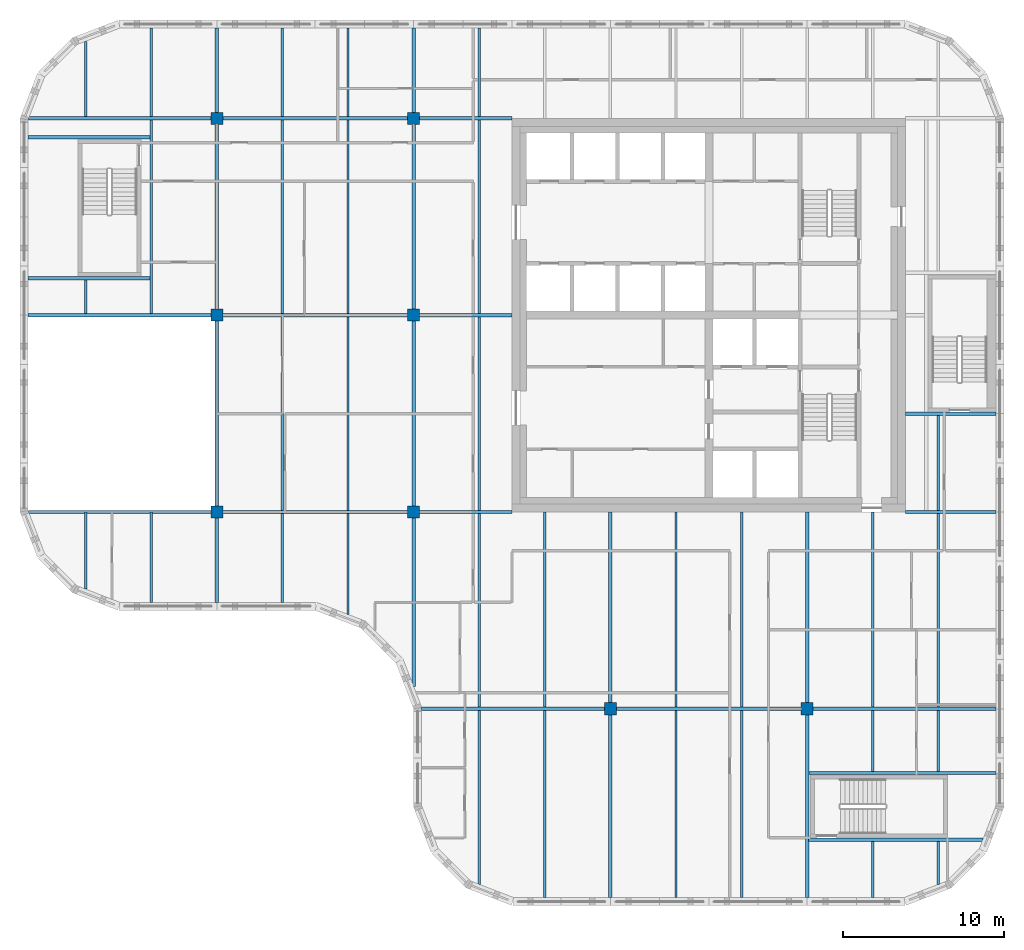
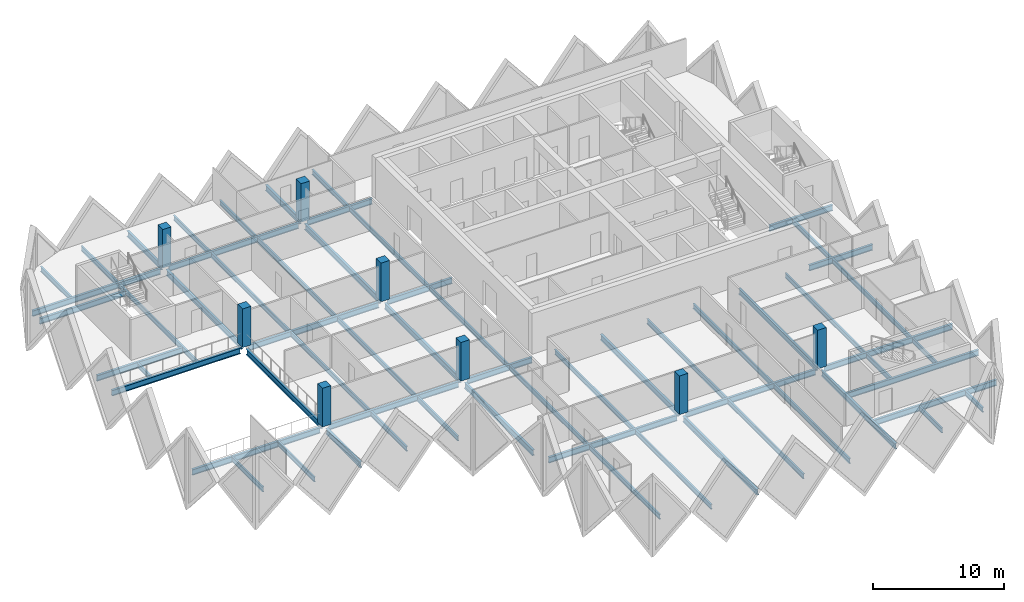
# One storey, part 1 of 12: 62 beams, 8 columns.
"""IFC4 building model written with IfcOpenShell, lengths in metres."""

from ifc_helpers import new_model, si_unit, direction, frame, origin, origin_2d, place, context, subcontext, project, spatial, rectangle, i_section, extrude, material, material_profile, profile_set, type_object, element, save


model = new_model("IFC4")

# Units and contexts
model_context = context("Model", 3, precision=1e-05, world=origin(), true_north=direction((0.0, 1.0)))
body_context = subcontext(model_context, "Body", "Model", "MODEL_VIEW")
ifc_project = project(units=[si_unit("LENGTHUNIT", "METRE"), si_unit("AREAUNIT", "SQUARE_METRE"), si_unit("VOLUMEUNIT", "CUBIC_METRE"), si_unit("PLANEANGLEUNIT", "RADIAN"), si_unit("MASSUNIT", "GRAM", prefix="KILO")], contexts=[model_context])

# Site, building, storey
site_placement = place(None, origin())
site = spatial("IfcSite", under=ifc_project, at=site_placement, CompositionType="ELEMENT")
building_placement = place(site_placement, origin())
building = spatial("IfcBuilding", under=site, at=building_placement, Name="Tessera Gate Towers", CompositionType="ELEMENT")
storey_placement = place(building_placement, frame((0.0, 0.0, 209.300048828125)))
storey = spatial("IfcBuildingStorey", under=building, at=storey_placement, Name="L52", CompositionType="ELEMENT", Elevation=209.300048828125)

# Columns
ifc_material_1 = material(Name="Concrete C70/85", Category="concrete")
ifc_material_profile_1 = material_profile(ifc_material_1, rectangle(XDim=0.75, YDim=0.75, at=origin_2d()), Name="RC 750x750")
ifc_profile_set_1 = profile_set([ifc_material_profile_1], Name="Concrete C70/85")
column_type = type_object("IfcColumnType", Name="COLUMN RC 750x750", PredefinedType="COLUMN", material=ifc_profile_set_1)
for number, where, z_axis, x_axis, name in (
    (1, (12.199951171875, 24.39990234375, 0.0), (0.0, 0.0, 1.0), (1.0, 0.0, 0.0), "T1-COL-2C-L52"),
    (2, (12.199951171875, 36.60009765625, 0.0), (0.0, 0.0, 1.0), (1.0, 0.0, 0.0), "T1-COL-2D-L52"),
    (3, (12.199951171875, 48.800048828125, 0.0), (0.0, 0.0, 1.0), (1.0, 0.0, 0.0), "T1-COL-2E-L52"),
    (4, (24.39990234375, 24.39990234375, 0.0), (0.0, 0.0, 1.0), (1.0, 0.0, 0.0), "T1-COL-3C-L52"),
    (5, (24.39990234375, 36.60009765625, 0.0), (0.0, 0.0, 1.0), (1.0, 0.0, 0.0), "T1-COL-3D-L52"),
    (6, (24.39990234375, 48.800048828125, 0.0), (0.0, 0.0, 1.0), (1.0, 0.0, 0.0), "T1-COL-3E-L52"),
    (7, (36.60009765625, 12.199951171875, 0.0), (0.0, 0.0, 1.0), (1.0, 0.0, 0.0), "T1-COL-4B-L52"),
    (8, (48.800048828125, 12.199951171875, 0.0), (0.0, 0.0, 1.0), (1.0, 0.0, 0.0), "T1-COL-5B-L52"),
):
    element("IfcColumn", number, at=place(storey_placement, frame(where, z_axis=z_axis, x_axis=x_axis)), inside=storey, type_object=column_type, Name=name, PredefinedType="COLUMN", context=body_context, shape_type="SweptSolid", body=[
        extrude(rectangle(XDim=0.75, YDim=0.75, at=origin_2d()), origin(), (0.0, 0.0, 1.0), 3.599853515625),
    ])

# Beams
ifc_material_2 = material(Name="Steel 350W", Category="steel")
ifc_material_profile_2 = material_profile(ifc_material_2, i_section(OverallWidth=0.208984375, OverallDepth=0.532958984375, WebThickness=0.01025390625, FlangeThickness=0.015625, at=origin_2d()), Name="W530x92")
ifc_profile_set_2 = profile_set([ifc_material_profile_2], Name="Steel 350W")
beam_type_1 = type_object("IfcBeamType", Name="FLOOR GIRDER W530x92", PredefinedType="BEAM", material=ifc_profile_set_2)
beam_1_placement = place(storey_placement, frame((24.89892578125, 12.199951171875, -0.466552734375), z_axis=(1.0, 0.0, 0.0), x_axis=(0.0, 1.0, 0.0)))
element("IfcBeam", 9, at=beam_1_placement, inside=storey, type_object=beam_type_1, Name="T1-GD-L52-5404", PredefinedType="BEAM", context=body_context, shape_type="SweptSolid", body=[
    extrude(i_section(OverallWidth=0.208984375, OverallDepth=0.532958984375, WebThickness=0.01025390625, FlangeThickness=0.015625, at=origin_2d()), origin(), (0.0, 0.0, 1.0), 11.326171875),
])
beam_2_placement = place(storey_placement, frame((36.97509765625, 12.199951171875, -0.466552734375), z_axis=(1.0, 0.0, 0.0), x_axis=(0.0, 1.0, 0.0)))
element("IfcBeam", 10, at=beam_2_placement, inside=storey, type_object=beam_type_1, Name="T1-GD-L52-5405", PredefinedType="BEAM", context=body_context, shape_type="SweptSolid", body=[
    extrude(i_section(OverallWidth=0.208984375, OverallDepth=0.532958984375, WebThickness=0.01025390625, FlangeThickness=0.015625, at=origin_2d()), origin(), (0.0, 0.0, 1.0), 11.449951171875),
])
beam_3_placement = place(storey_placement, frame((49.175048828125, 12.199951171875, -0.466552734375), z_axis=(1.0, 0.0, 0.0), x_axis=(0.0, 1.0, 0.0)))
element("IfcBeam", 11, at=beam_3_placement, inside=storey, type_object=beam_type_1, Name="T1-GD-L52-5406", PredefinedType="BEAM", context=body_context, shape_type="SweptSolid", body=[
    extrude(i_section(OverallWidth=0.208984375, OverallDepth=0.532958984375, WebThickness=0.01025390625, FlangeThickness=0.015625, at=origin_2d()), origin(), (0.0, 0.0, 1.0), 11.325927734375),
])
beam_4_placement = place(storey_placement, frame((0.534912109375, 24.39990234375, -0.466552734375), z_axis=(1.0, 0.0, 0.0), x_axis=(0.0, 1.0, 0.0)))
element("IfcBeam", 12, at=beam_4_placement, inside=storey, type_object=beam_type_1, Name="T1-GD-L52-5407", PredefinedType="BEAM", context=body_context, shape_type="SweptSolid", body=[
    extrude(i_section(OverallWidth=0.208984375, OverallDepth=0.532958984375, WebThickness=0.01025390625, FlangeThickness=0.015625, at=origin_2d()), origin(), (0.0, 0.0, 1.0), 11.2900390625),
])
beam_5_placement = place(storey_placement, frame((12.574951171875, 24.39990234375, -0.466552734375), z_axis=(1.0, 0.0, 0.0), x_axis=(0.0, 1.0, 0.0)))
element("IfcBeam", 13, at=beam_5_placement, inside=storey, type_object=beam_type_1, Name="T1-GD-L52-5408", PredefinedType="BEAM", context=body_context, shape_type="SweptSolid", body=[
    extrude(i_section(OverallWidth=0.208984375, OverallDepth=0.532958984375, WebThickness=0.01025390625, FlangeThickness=0.015625, at=origin_2d()), origin(), (0.0, 0.0, 1.0), 11.449951171875),
])
beam_6_placement = place(storey_placement, frame((24.77490234375, 24.39990234375, -0.466552734375), z_axis=(1.0, 0.0, 0.0), x_axis=(0.0, 1.0, 0.0)))
element("IfcBeam", 14, at=beam_6_placement, inside=storey, type_object=beam_type_1, Name="T1-GD-L52-5409", PredefinedType="BEAM", context=body_context, shape_type="SweptSolid", body=[
    extrude(i_section(OverallWidth=0.208984375, OverallDepth=0.532958984375, WebThickness=0.01025390625, FlangeThickness=0.015625, at=origin_2d()), origin(), (0.0, 0.0, 1.0), 5.72412109375),
])
beam_7_placement = place(storey_placement, frame((54.90087890625, 24.39990234375, -0.466552734375), z_axis=(1.0, 0.0, 0.0), x_axis=(0.0, 1.0, 0.0)))
element("IfcBeam", 15, at=beam_7_placement, inside=storey, type_object=beam_type_1, Name="T1-GD-L52-5410", PredefinedType="BEAM", context=body_context, shape_type="SweptSolid", body=[
    extrude(i_section(OverallWidth=0.208984375, OverallDepth=0.532958984375, WebThickness=0.01025390625, FlangeThickness=0.015625, at=origin_2d()), origin(), (0.0, 0.0, 1.0), 5.60009765625),
])
beam_8_placement = place(storey_placement, frame((0.4990234375, 36.60009765625, -0.466552734375), z_axis=(1.0, 0.0, 0.0), x_axis=(0.0, 1.0, 0.0)))
element("IfcBeam", 16, at=beam_8_placement, inside=storey, type_object=beam_type_1, Name="T1-GD-L52-5411", PredefinedType="BEAM", context=body_context, shape_type="SweptSolid", body=[
    extrude(i_section(OverallWidth=0.208984375, OverallDepth=0.532958984375, WebThickness=0.01025390625, FlangeThickness=0.015625, at=origin_2d()), origin(), (0.0, 0.0, 1.0), 11.325927734375),
])
beam_9_placement = place(storey_placement, frame((12.574951171875, 36.60009765625, -0.466552734375), z_axis=(1.0, 0.0, 0.0), x_axis=(0.0, 1.0, 0.0)))
element("IfcBeam", 17, at=beam_9_placement, inside=storey, type_object=beam_type_1, Name="T1-GD-L52-5412", PredefinedType="BEAM", context=body_context, shape_type="SweptSolid", body=[
    extrude(i_section(OverallWidth=0.208984375, OverallDepth=0.532958984375, WebThickness=0.01025390625, FlangeThickness=0.015625, at=origin_2d()), origin(), (0.0, 0.0, 1.0), 11.449951171875),
])
beam_10_placement = place(storey_placement, frame((24.77490234375, 36.60009765625, -0.466552734375), z_axis=(1.0, 0.0, 0.0), x_axis=(0.0, 1.0, 0.0)))
element("IfcBeam", 18, at=beam_10_placement, inside=storey, type_object=beam_type_1, Name="T1-GD-L52-5413", PredefinedType="BEAM", context=body_context, shape_type="SweptSolid", body=[
    extrude(i_section(OverallWidth=0.208984375, OverallDepth=0.532958984375, WebThickness=0.01025390625, FlangeThickness=0.015625, at=origin_2d()), origin(), (0.0, 0.0, 1.0), 5.72607421875),
])
beam_11_placement = place(storey_placement, frame((0.534912109375, 48.800048828125, -0.466552734375), z_axis=(1.0, 0.0, 0.0), x_axis=(0.0, 1.0, 0.0)))
element("IfcBeam", 19, at=beam_11_placement, inside=storey, type_object=beam_type_1, Name="T1-GD-L52-5415", PredefinedType="BEAM", context=body_context, shape_type="SweptSolid", body=[
    extrude(i_section(OverallWidth=0.208984375, OverallDepth=0.532958984375, WebThickness=0.01025390625, FlangeThickness=0.015625, at=origin_2d()), origin(), (0.0, 0.0, 1.0), 11.2900390625),
])
beam_12_placement = place(storey_placement, frame((12.574951171875, 48.800048828125, -0.466552734375), z_axis=(1.0, 0.0, 0.0), x_axis=(0.0, 1.0, 0.0)))
element("IfcBeam", 20, at=beam_12_placement, inside=storey, type_object=beam_type_1, Name="T1-GD-L52-5416", PredefinedType="BEAM", context=body_context, shape_type="SweptSolid", body=[
    extrude(i_section(OverallWidth=0.208984375, OverallDepth=0.532958984375, WebThickness=0.01025390625, FlangeThickness=0.015625, at=origin_2d()), origin(), (0.0, 0.0, 1.0), 11.449951171875),
])
beam_13_placement = place(storey_placement, frame((24.77490234375, 48.800048828125, -0.466552734375), z_axis=(1.0, 0.0, 0.0), x_axis=(0.0, 1.0, 0.0)))
element("IfcBeam", 21, at=beam_13_placement, inside=storey, type_object=beam_type_1, Name="T1-GD-L52-5417", PredefinedType="BEAM", context=body_context, shape_type="SweptSolid", body=[
    extrude(i_section(OverallWidth=0.208984375, OverallDepth=0.532958984375, WebThickness=0.01025390625, FlangeThickness=0.015625, at=origin_2d()), origin(), (0.0, 0.0, 1.0), 5.72412109375),
])
beam_14_placement = place(storey_placement, frame((12.199951171875, 18.799072265625, -0.466552734375), z_axis=(0.0, 1.0, 0.0), x_axis=(-1.0, 0.0, 0.0)))
element("IfcBeam", 22, at=beam_14_placement, inside=storey, type_object=beam_type_1, Name="T1-GD-L52-5419", PredefinedType="BEAM", context=body_context, shape_type="SweptSolid", body=[
    extrude(i_section(OverallWidth=0.208984375, OverallDepth=0.532958984375, WebThickness=0.01025390625, FlangeThickness=0.015625, at=origin_2d()), origin(), (0.0, 0.0, 1.0), 5.225830078125),
])
beam_15_placement = place(storey_placement, frame((12.199951171875, 24.77490234375, -0.466552734375), z_axis=(0.0, 1.0, 0.0), x_axis=(-1.0, 0.0, 0.0)))
element("IfcBeam", 23, at=beam_15_placement, inside=storey, type_object=beam_type_1, Name="T1-GD-L52-5420", PredefinedType="BEAM", context=body_context, shape_type="SweptSolid", body=[
    extrude(i_section(OverallWidth=0.208984375, OverallDepth=0.532958984375, WebThickness=0.01025390625, FlangeThickness=0.015625, at=origin_2d()), origin(), (0.0, 0.0, 1.0), 11.4501953125),
])
beam_16_placement = place(storey_placement, frame((12.199951171875, 36.97509765625, -0.466552734375), z_axis=(0.0, 1.0, 0.0), x_axis=(-1.0, 0.0, 0.0)))
element("IfcBeam", 24, at=beam_16_placement, inside=storey, type_object=beam_type_1, Name="T1-GD-L52-5421", PredefinedType="BEAM", context=body_context, shape_type="SweptSolid", body=[
    extrude(i_section(OverallWidth=0.208984375, OverallDepth=0.532958984375, WebThickness=0.01025390625, FlangeThickness=0.015625, at=origin_2d()), origin(), (0.0, 0.0, 1.0), 11.449951171875),
])
beam_17_placement = place(storey_placement, frame((12.199951171875, 49.175048828125, -0.466552734375), z_axis=(0.0, 1.0, 0.0), x_axis=(-1.0, 0.0, 0.0)))
element("IfcBeam", 25, at=beam_17_placement, inside=storey, type_object=beam_type_1, Name="T1-GD-L52-5422", PredefinedType="BEAM", context=body_context, shape_type="SweptSolid", body=[
    extrude(i_section(OverallWidth=0.208984375, OverallDepth=0.532958984375, WebThickness=0.01025390625, FlangeThickness=0.015625, at=origin_2d()), origin(), (0.0, 0.0, 1.0), 5.225830078125),
])
beam_18_placement = place(storey_placement, frame((24.39990234375, 13.58642578125, -0.466552734375), z_axis=(0.0, 1.0, 0.0), x_axis=(-1.0, 0.0, 0.0)))
element("IfcBeam", 26, at=beam_18_placement, inside=storey, type_object=beam_type_1, Name="T1-GD-L52-5423", PredefinedType="BEAM", context=body_context, shape_type="SweptSolid", body=[
    extrude(i_section(OverallWidth=0.208984375, OverallDepth=0.532958984375, WebThickness=0.01025390625, FlangeThickness=0.015625, at=origin_2d()), origin(), (0.0, 0.0, 1.0), 10.4384765625),
])
beam_19_placement = place(storey_placement, frame((24.39990234375, 24.77490234375, -0.466552734375), z_axis=(0.0, 1.0, 0.0), x_axis=(-1.0, 0.0, 0.0)))
element("IfcBeam", 27, at=beam_19_placement, inside=storey, type_object=beam_type_1, Name="T1-GD-L52-5424", PredefinedType="BEAM", context=body_context, shape_type="SweptSolid", body=[
    extrude(i_section(OverallWidth=0.208984375, OverallDepth=0.532958984375, WebThickness=0.01025390625, FlangeThickness=0.015625, at=origin_2d()), origin(), (0.0, 0.0, 1.0), 11.4501953125),
])
beam_20_placement = place(storey_placement, frame((24.39990234375, 36.97509765625, -0.466552734375), z_axis=(0.0, 1.0, 0.0), x_axis=(-1.0, 0.0, 0.0)))
element("IfcBeam", 28, at=beam_20_placement, inside=storey, type_object=beam_type_1, Name="T1-GD-L52-5425", PredefinedType="BEAM", context=body_context, shape_type="SweptSolid", body=[
    extrude(i_section(OverallWidth=0.208984375, OverallDepth=0.532958984375, WebThickness=0.01025390625, FlangeThickness=0.015625, at=origin_2d()), origin(), (0.0, 0.0, 1.0), 11.449951171875),
])
beam_21_placement = place(storey_placement, frame((24.39990234375, 49.175048828125, -0.466552734375), z_axis=(0.0, 1.0, 0.0), x_axis=(-1.0, 0.0, 0.0)))
element("IfcBeam", 29, at=beam_21_placement, inside=storey, type_object=beam_type_1, Name="T1-GD-L52-5426", PredefinedType="BEAM", context=body_context, shape_type="SweptSolid", body=[
    extrude(i_section(OverallWidth=0.208984375, OverallDepth=0.532958984375, WebThickness=0.01025390625, FlangeThickness=0.015625, at=origin_2d()), origin(), (0.0, 0.0, 1.0), 5.225830078125),
])
beam_22_placement = place(storey_placement, frame((36.60009765625, 0.4990234375, -0.466552734375), z_axis=(0.0, 1.0, 0.0), x_axis=(-1.0, 0.0, 0.0)))
element("IfcBeam", 30, at=beam_22_placement, inside=storey, type_object=beam_type_1, Name="T1-GD-L52-5427", PredefinedType="BEAM", context=body_context, shape_type="SweptSolid", body=[
    extrude(i_section(OverallWidth=0.208984375, OverallDepth=0.532958984375, WebThickness=0.01025390625, FlangeThickness=0.015625, at=origin_2d()), origin(), (0.0, 0.0, 1.0), 11.325927734375),
])
beam_23_placement = place(storey_placement, frame((36.60009765625, 12.574951171875, -0.466552734375), z_axis=(0.0, 1.0, 0.0), x_axis=(-1.0, 0.0, 0.0)))
element("IfcBeam", 31, at=beam_23_placement, inside=storey, type_object=beam_type_1, Name="T1-GD-L52-5428", PredefinedType="BEAM", context=body_context, shape_type="SweptSolid", body=[
    extrude(i_section(OverallWidth=0.208984375, OverallDepth=0.532958984375, WebThickness=0.01025390625, FlangeThickness=0.015625, at=origin_2d()), origin(), (0.0, 0.0, 1.0), 11.824951171875),
])
beam_24_placement = place(storey_placement, frame((48.800048828125, 0.4990234375, -0.466552734375), z_axis=(0.0, 1.0, 0.0), x_axis=(-1.0, 0.0, 0.0)))
element("IfcBeam", 32, at=beam_24_placement, inside=storey, type_object=beam_type_1, Name="T1-GD-L52-5429", PredefinedType="BEAM", context=body_context, shape_type="SweptSolid", body=[
    extrude(i_section(OverallWidth=0.208984375, OverallDepth=0.532958984375, WebThickness=0.01025390625, FlangeThickness=0.015625, at=origin_2d()), origin(), (0.0, 0.0, 1.0), 11.325927734375),
])
beam_25_placement = place(storey_placement, frame((48.800048828125, 12.574951171875, -0.466552734375), z_axis=(0.0, 1.0, 0.0), x_axis=(-1.0, 0.0, 0.0)))
element("IfcBeam", 33, at=beam_25_placement, inside=storey, type_object=beam_type_1, Name="T1-GD-L52-5430", PredefinedType="BEAM", context=body_context, shape_type="SweptSolid", body=[
    extrude(i_section(OverallWidth=0.208984375, OverallDepth=0.532958984375, WebThickness=0.01025390625, FlangeThickness=0.015625, at=origin_2d()), origin(), (0.0, 0.0, 1.0), 11.824951171875),
])
for number, where, z_axis, x_axis, name in (
    (34, (0.4990234375, 38.8798828125, -0.466552734375), (1.0, 0.0, 0.0), (0.0, 1.0, 0.0), "T1-GD-L52-5431"),
    (35, (0.4990234375, 47.6201171875, -0.466552734375), (1.0, 0.0, 0.0), (0.0, 1.0, 0.0), "T1-GD-L52-5432"),
):
    element("IfcBeam", number, at=place(storey_placement, frame(where, z_axis=z_axis, x_axis=x_axis)), inside=storey, type_object=beam_type_1, Name=name, PredefinedType="BEAM", context=body_context, shape_type="SweptSolid", body=[
        extrude(i_section(OverallWidth=0.208984375, OverallDepth=0.532958984375, WebThickness=0.01025390625, FlangeThickness=0.015625, at=origin_2d()), origin(), (0.0, 0.0, 1.0), 7.557861328125),
    ])
beam_26_placement = place(storey_placement, frame((48.87646484375, 4.080078125, -0.466552734375), z_axis=(1.0, 0.0, 0.0), x_axis=(0.0, 1.0, 0.0)))
element("IfcBeam", 36, at=beam_26_placement, inside=storey, type_object=beam_type_1, Name="T1-GD-L52-5433", PredefinedType="BEAM", context=body_context, shape_type="SweptSolid", body=[
    extrude(i_section(OverallWidth=0.208984375, OverallDepth=0.532958984375, WebThickness=0.01025390625, FlangeThickness=0.015625, at=origin_2d()), origin(), (0.0, 0.0, 1.0), 10.809326171875),
])
beam_27_placement = place(storey_placement, frame((48.87646484375, 8.219970703125, -0.466552734375), z_axis=(1.0, 0.0, 0.0), x_axis=(0.0, 1.0, 0.0)))
element("IfcBeam", 37, at=beam_27_placement, inside=storey, type_object=beam_type_1, Name="T1-GD-L52-5434", PredefinedType="BEAM", context=body_context, shape_type="SweptSolid", body=[
    extrude(i_section(OverallWidth=0.208984375, OverallDepth=0.532958984375, WebThickness=0.01025390625, FlangeThickness=0.015625, at=origin_2d()), origin(), (0.0, 0.0, 1.0), 11.62451171875),
])
beam_28_placement = place(storey_placement, frame((54.89892578125, 30.47998046875, -0.466552734375), z_axis=(1.0, 0.0, 0.0), x_axis=(0.0, 1.0, 0.0)))
element("IfcBeam", 38, at=beam_28_placement, inside=storey, type_object=beam_type_1, Name="T1-GD-L52-5435", PredefinedType="BEAM", context=body_context, shape_type="SweptSolid", body=[
    extrude(i_section(OverallWidth=0.208984375, OverallDepth=0.532958984375, WebThickness=0.01025390625, FlangeThickness=0.015625, at=origin_2d()), origin(), (0.0, 0.0, 1.0), 5.60205078125),
])
ifc_material_3 = material(Name="Steel 350W", Category="steel")
ifc_material_profile_3 = material_profile(ifc_material_3, i_section(OverallWidth=0.153076171875, OverallDepth=0.455078125, WebThickness=0.008056640625, FlangeThickness=0.01318359375, at=origin_2d()), Name="W460x60")
ifc_profile_set_3 = profile_set([ifc_material_profile_3], Name="Steel 350W")
beam_type_2 = type_object("IfcBeamType", Name="FLOOR SECONDARY W460x60", PredefinedType="BEAM", material=ifc_profile_set_3)
beam_29_placement = place(storey_placement, frame((4.066650390625, 19.620361328125, -0.427490234375), z_axis=(0.0, 1.0, 0.0), x_axis=(-1.0, 0.0, 0.0)))
element("IfcBeam", 39, at=beam_29_placement, inside=storey, type_object=beam_type_2, Name="T1-BM-L52-5438", PredefinedType="BEAM", context=body_context, shape_type="SweptSolid", body=[
    extrude(i_section(OverallWidth=0.153076171875, OverallDepth=0.455078125, WebThickness=0.008056640625, FlangeThickness=0.01318359375, at=origin_2d()), origin(), (0.0, 0.0, 1.0), 4.779541015625),
])
beam_30_placement = place(storey_placement, frame((4.066650390625, 36.70458984375, -0.427490234375), z_axis=(0.0, 1.0, 0.0), x_axis=(-1.0, 0.0, 0.0)))
element("IfcBeam", 40, at=beam_30_placement, inside=storey, type_object=beam_type_2, Name="T1-BM-L52-5439", PredefinedType="BEAM", context=body_context, shape_type="SweptSolid", body=[
    extrude(i_section(OverallWidth=0.153076171875, OverallDepth=0.455078125, WebThickness=0.008056640625, FlangeThickness=0.01318359375, at=origin_2d()), origin(), (0.0, 0.0, 1.0), 2.07080078125),
])
beam_31_placement = place(storey_placement, frame((4.066650390625, 48.904541015625, -0.427490234375), z_axis=(0.0, 1.0, 0.0), x_axis=(-1.0, 0.0, 0.0)))
element("IfcBeam", 41, at=beam_31_placement, inside=storey, type_object=beam_type_2, Name="T1-BM-L52-5440", PredefinedType="BEAM", context=body_context, shape_type="SweptSolid", body=[
    extrude(i_section(OverallWidth=0.153076171875, OverallDepth=0.455078125, WebThickness=0.008056640625, FlangeThickness=0.01318359375, at=origin_2d()), origin(), (0.0, 0.0, 1.0), 4.675048828125),
])
beam_32_placement = place(storey_placement, frame((8.13330078125, 18.800048828125, -0.427490234375), z_axis=(0.0, 1.0, 0.0), x_axis=(-1.0, 0.0, 0.0)))
element("IfcBeam", 42, at=beam_32_placement, inside=storey, type_object=beam_type_2, Name="T1-BM-L52-5441", PredefinedType="BEAM", context=body_context, shape_type="SweptSolid", body=[
    extrude(i_section(OverallWidth=0.153076171875, OverallDepth=0.455078125, WebThickness=0.008056640625, FlangeThickness=0.01318359375, at=origin_2d()), origin(), (0.0, 0.0, 1.0), 5.599853515625),
])
beam_33_placement = place(storey_placement, frame((8.13330078125, 36.70458984375, -0.427490234375), z_axis=(0.0, 1.0, 0.0), x_axis=(-1.0, 0.0, 0.0)))
element("IfcBeam", 43, at=beam_33_placement, inside=storey, type_object=beam_type_2, Name="T1-BM-L52-5442", PredefinedType="BEAM", context=body_context, shape_type="SweptSolid", body=[
    extrude(i_section(OverallWidth=0.153076171875, OverallDepth=0.455078125, WebThickness=0.008056640625, FlangeThickness=0.01318359375, at=origin_2d()), origin(), (0.0, 0.0, 1.0), 11.990966796875),
])
for number, where, z_axis, x_axis, name in (
    (44, (8.13330078125, 48.904541015625, -0.427490234375), (0.0, 1.0, 0.0), (-1.0, 0.0, 0.0), "T1-BM-L52-5443"),
    (45, (16.2666015625, 18.800048828125, -0.427490234375), (0.0, 1.0, 0.0), (-1.0, 0.0, 0.0), "T1-BM-L52-5444"),
):
    element("IfcBeam", number, at=place(storey_placement, frame(where, z_axis=z_axis, x_axis=x_axis)), inside=storey, type_object=beam_type_2, Name=name, PredefinedType="BEAM", context=body_context, shape_type="SweptSolid", body=[
        extrude(i_section(OverallWidth=0.153076171875, OverallDepth=0.455078125, WebThickness=0.008056640625, FlangeThickness=0.01318359375, at=origin_2d()), origin(), (0.0, 0.0, 1.0), 5.495361328125),
    ])
beam_34_placement = place(storey_placement, frame((16.2666015625, 24.50439453125, -0.427490234375), z_axis=(0.0, 1.0, 0.0), x_axis=(-1.0, 0.0, 0.0)))
element("IfcBeam", 46, at=beam_34_placement, inside=storey, type_object=beam_type_2, Name="T1-BM-L52-5445", PredefinedType="BEAM", context=body_context, shape_type="SweptSolid", body=[
    extrude(i_section(OverallWidth=0.153076171875, OverallDepth=0.455078125, WebThickness=0.008056640625, FlangeThickness=0.01318359375, at=origin_2d()), origin(), (0.0, 0.0, 1.0), 11.9912109375),
])
beam_35_placement = place(storey_placement, frame((16.2666015625, 36.70458984375, -0.427490234375), z_axis=(0.0, 1.0, 0.0), x_axis=(-1.0, 0.0, 0.0)))
element("IfcBeam", 47, at=beam_35_placement, inside=storey, type_object=beam_type_2, Name="T1-BM-L52-5446", PredefinedType="BEAM", context=body_context, shape_type="SweptSolid", body=[
    extrude(i_section(OverallWidth=0.153076171875, OverallDepth=0.455078125, WebThickness=0.008056640625, FlangeThickness=0.01318359375, at=origin_2d()), origin(), (0.0, 0.0, 1.0), 11.990966796875),
])
beam_36_placement = place(storey_placement, frame((16.2666015625, 48.904541015625, -0.427490234375), z_axis=(0.0, 1.0, 0.0), x_axis=(-1.0, 0.0, 0.0)))
element("IfcBeam", 48, at=beam_36_placement, inside=storey, type_object=beam_type_2, Name="T1-BM-L52-5447", PredefinedType="BEAM", context=body_context, shape_type="SweptSolid", body=[
    extrude(i_section(OverallWidth=0.153076171875, OverallDepth=0.455078125, WebThickness=0.008056640625, FlangeThickness=0.01318359375, at=origin_2d()), origin(), (0.0, 0.0, 1.0), 5.495361328125),
])
beam_37_placement = place(storey_placement, frame((20.333251953125, 18.051513671875, -0.427490234375), z_axis=(0.0, 1.0, 0.0), x_axis=(-1.0, 0.0, 0.0)))
element("IfcBeam", 49, at=beam_37_placement, inside=storey, type_object=beam_type_2, Name="T1-BM-L52-5448", PredefinedType="BEAM", context=body_context, shape_type="SweptSolid", body=[
    extrude(i_section(OverallWidth=0.153076171875, OverallDepth=0.455078125, WebThickness=0.008056640625, FlangeThickness=0.01318359375, at=origin_2d()), origin(), (0.0, 0.0, 1.0), 6.243896484375),
])
beam_38_placement = place(storey_placement, frame((20.333251953125, 24.50439453125, -0.427490234375), z_axis=(0.0, 1.0, 0.0), x_axis=(-1.0, 0.0, 0.0)))
element("IfcBeam", 50, at=beam_38_placement, inside=storey, type_object=beam_type_2, Name="T1-BM-L52-5449", PredefinedType="BEAM", context=body_context, shape_type="SweptSolid", body=[
    extrude(i_section(OverallWidth=0.153076171875, OverallDepth=0.455078125, WebThickness=0.008056640625, FlangeThickness=0.01318359375, at=origin_2d()), origin(), (0.0, 0.0, 1.0), 11.9912109375),
])
beam_39_placement = place(storey_placement, frame((20.333251953125, 36.70458984375, -0.427490234375), z_axis=(0.0, 1.0, 0.0), x_axis=(-1.0, 0.0, 0.0)))
element("IfcBeam", 51, at=beam_39_placement, inside=storey, type_object=beam_type_2, Name="T1-BM-L52-5450", PredefinedType="BEAM", context=body_context, shape_type="SweptSolid", body=[
    extrude(i_section(OverallWidth=0.153076171875, OverallDepth=0.455078125, WebThickness=0.008056640625, FlangeThickness=0.01318359375, at=origin_2d()), origin(), (0.0, 0.0, 1.0), 11.990966796875),
])
beam_40_placement = place(storey_placement, frame((20.333251953125, 48.904541015625, -0.427490234375), z_axis=(0.0, 1.0, 0.0), x_axis=(-1.0, 0.0, 0.0)))
element("IfcBeam", 52, at=beam_40_placement, inside=storey, type_object=beam_type_2, Name="T1-BM-L52-5451", PredefinedType="BEAM", context=body_context, shape_type="SweptSolid", body=[
    extrude(i_section(OverallWidth=0.153076171875, OverallDepth=0.455078125, WebThickness=0.008056640625, FlangeThickness=0.01318359375, at=origin_2d()), origin(), (0.0, 0.0, 1.0), 5.495361328125),
])
beam_41_placement = place(storey_placement, frame((28.466796875, 1.3203125, -0.427490234375), z_axis=(0.0, 1.0, 0.0), x_axis=(-1.0, 0.0, 0.0)))
element("IfcBeam", 53, at=beam_41_placement, inside=storey, type_object=beam_type_2, Name="T1-BM-L52-5452", PredefinedType="BEAM", context=body_context, shape_type="SweptSolid", body=[
    extrude(i_section(OverallWidth=0.153076171875, OverallDepth=0.455078125, WebThickness=0.008056640625, FlangeThickness=0.01318359375, at=origin_2d()), origin(), (0.0, 0.0, 1.0), 10.775146484375),
])
beam_42_placement = place(storey_placement, frame((28.466796875, 12.304443359375, -0.427490234375), z_axis=(0.0, 1.0, 0.0), x_axis=(-1.0, 0.0, 0.0)))
element("IfcBeam", 54, at=beam_42_placement, inside=storey, type_object=beam_type_2, Name="T1-BM-L52-5453", PredefinedType="BEAM", context=body_context, shape_type="SweptSolid", body=[
    extrude(i_section(OverallWidth=0.153076171875, OverallDepth=0.455078125, WebThickness=0.008056640625, FlangeThickness=0.01318359375, at=origin_2d()), origin(), (0.0, 0.0, 1.0), 11.990966796875),
])
beam_43_placement = place(storey_placement, frame((28.466796875, 24.50439453125, -0.427490234375), z_axis=(0.0, 1.0, 0.0), x_axis=(-1.0, 0.0, 0.0)))
element("IfcBeam", 55, at=beam_43_placement, inside=storey, type_object=beam_type_2, Name="T1-BM-L52-5454", PredefinedType="BEAM", context=body_context, shape_type="SweptSolid", body=[
    extrude(i_section(OverallWidth=0.153076171875, OverallDepth=0.455078125, WebThickness=0.008056640625, FlangeThickness=0.01318359375, at=origin_2d()), origin(), (0.0, 0.0, 1.0), 11.9912109375),
])
beam_44_placement = place(storey_placement, frame((28.466796875, 36.70458984375, -0.427490234375), z_axis=(0.0, 1.0, 0.0), x_axis=(-1.0, 0.0, 0.0)))
element("IfcBeam", 56, at=beam_44_placement, inside=storey, type_object=beam_type_2, Name="T1-BM-L52-5455", PredefinedType="BEAM", context=body_context, shape_type="SweptSolid", body=[
    extrude(i_section(OverallWidth=0.153076171875, OverallDepth=0.455078125, WebThickness=0.008056640625, FlangeThickness=0.01318359375, at=origin_2d()), origin(), (0.0, 0.0, 1.0), 11.990966796875),
])
beam_45_placement = place(storey_placement, frame((28.466796875, 48.904541015625, -0.427490234375), z_axis=(0.0, 1.0, 0.0), x_axis=(-1.0, 0.0, 0.0)))
element("IfcBeam", 57, at=beam_45_placement, inside=storey, type_object=beam_type_2, Name="T1-BM-L52-5456", PredefinedType="BEAM", context=body_context, shape_type="SweptSolid", body=[
    extrude(i_section(OverallWidth=0.153076171875, OverallDepth=0.455078125, WebThickness=0.008056640625, FlangeThickness=0.01318359375, at=origin_2d()), origin(), (0.0, 0.0, 1.0), 5.495361328125),
])
beam_46_placement = place(storey_placement, frame((32.533203125, 0.5, -0.427490234375), z_axis=(0.0, 1.0, 0.0), x_axis=(-1.0, 0.0, 0.0)))
element("IfcBeam", 58, at=beam_46_placement, inside=storey, type_object=beam_type_2, Name="T1-BM-L52-5457", PredefinedType="BEAM", context=body_context, shape_type="SweptSolid", body=[
    extrude(i_section(OverallWidth=0.153076171875, OverallDepth=0.455078125, WebThickness=0.008056640625, FlangeThickness=0.01318359375, at=origin_2d()), origin(), (0.0, 0.0, 1.0), 11.595458984375),
])
beam_47_placement = place(storey_placement, frame((32.533203125, 12.304443359375, -0.427490234375), z_axis=(0.0, 1.0, 0.0), x_axis=(-1.0, 0.0, 0.0)))
element("IfcBeam", 59, at=beam_47_placement, inside=storey, type_object=beam_type_2, Name="T1-BM-L52-5458", PredefinedType="BEAM", context=body_context, shape_type="SweptSolid", body=[
    extrude(i_section(OverallWidth=0.153076171875, OverallDepth=0.455078125, WebThickness=0.008056640625, FlangeThickness=0.01318359375, at=origin_2d()), origin(), (0.0, 0.0, 1.0), 12.095458984375),
])
beam_48_placement = place(storey_placement, frame((40.666748046875, 0.5, -0.427490234375), z_axis=(0.0, 1.0, 0.0), x_axis=(-1.0, 0.0, 0.0)))
element("IfcBeam", 60, at=beam_48_placement, inside=storey, type_object=beam_type_2, Name="T1-BM-L52-5461", PredefinedType="BEAM", context=body_context, shape_type="SweptSolid", body=[
    extrude(i_section(OverallWidth=0.153076171875, OverallDepth=0.455078125, WebThickness=0.008056640625, FlangeThickness=0.01318359375, at=origin_2d()), origin(), (0.0, 0.0, 1.0), 11.595458984375),
])
beam_49_placement = place(storey_placement, frame((40.666748046875, 12.304443359375, -0.427490234375), z_axis=(0.0, 1.0, 0.0), x_axis=(-1.0, 0.0, 0.0)))
element("IfcBeam", 61, at=beam_49_placement, inside=storey, type_object=beam_type_2, Name="T1-BM-L52-5462", PredefinedType="BEAM", context=body_context, shape_type="SweptSolid", body=[
    extrude(i_section(OverallWidth=0.153076171875, OverallDepth=0.455078125, WebThickness=0.008056640625, FlangeThickness=0.01318359375, at=origin_2d()), origin(), (0.0, 0.0, 1.0), 12.095458984375),
])
beam_50_placement = place(storey_placement, frame((44.7333984375, 0.5, -0.427490234375), z_axis=(0.0, 1.0, 0.0), x_axis=(-1.0, 0.0, 0.0)))
element("IfcBeam", 62, at=beam_50_placement, inside=storey, type_object=beam_type_2, Name="T1-BM-L52-5464", PredefinedType="BEAM", context=body_context, shape_type="SweptSolid", body=[
    extrude(i_section(OverallWidth=0.153076171875, OverallDepth=0.455078125, WebThickness=0.008056640625, FlangeThickness=0.01318359375, at=origin_2d()), origin(), (0.0, 0.0, 1.0), 11.595458984375),
])
beam_51_placement = place(storey_placement, frame((44.7333984375, 12.304443359375, -0.427490234375), z_axis=(0.0, 1.0, 0.0), x_axis=(-1.0, 0.0, 0.0)))
element("IfcBeam", 63, at=beam_51_placement, inside=storey, type_object=beam_type_2, Name="T1-BM-L52-5465", PredefinedType="BEAM", context=body_context, shape_type="SweptSolid", body=[
    extrude(i_section(OverallWidth=0.153076171875, OverallDepth=0.455078125, WebThickness=0.008056640625, FlangeThickness=0.01318359375, at=origin_2d()), origin(), (0.0, 0.0, 1.0), 12.095458984375),
])
beam_52_placement = place(storey_placement, frame((52.86669921875, 0.5, -0.427490234375), z_axis=(0.0, 1.0, 0.0), x_axis=(-1.0, 0.0, 0.0)))
element("IfcBeam", 64, at=beam_52_placement, inside=storey, type_object=beam_type_2, Name="T1-BM-L52-5468", PredefinedType="BEAM", context=body_context, shape_type="SweptSolid", body=[
    extrude(i_section(OverallWidth=0.153076171875, OverallDepth=0.455078125, WebThickness=0.008056640625, FlangeThickness=0.01318359375, at=origin_2d()), origin(), (0.0, 0.0, 1.0), 3.4755859375),
])
beam_53_placement = place(storey_placement, frame((52.86669921875, 8.324462890625, -0.427490234375), z_axis=(0.0, 1.0, 0.0), x_axis=(-1.0, 0.0, 0.0)))
element("IfcBeam", 65, at=beam_53_placement, inside=storey, type_object=beam_type_2, Name="T1-BM-L52-5469", PredefinedType="BEAM", context=body_context, shape_type="SweptSolid", body=[
    extrude(i_section(OverallWidth=0.153076171875, OverallDepth=0.455078125, WebThickness=0.008056640625, FlangeThickness=0.01318359375, at=origin_2d()), origin(), (0.0, 0.0, 1.0), 3.77099609375),
])
beam_54_placement = place(storey_placement, frame((52.86669921875, 12.304443359375, -0.427490234375), z_axis=(0.0, 1.0, 0.0), x_axis=(-1.0, 0.0, 0.0)))
element("IfcBeam", 66, at=beam_54_placement, inside=storey, type_object=beam_type_2, Name="T1-BM-L52-5470", PredefinedType="BEAM", context=body_context, shape_type="SweptSolid", body=[
    extrude(i_section(OverallWidth=0.153076171875, OverallDepth=0.455078125, WebThickness=0.008056640625, FlangeThickness=0.01318359375, at=origin_2d()), origin(), (0.0, 0.0, 1.0), 12.095458984375),
])
beam_55_placement = place(storey_placement, frame((56.933349609375, 1.3203125, -0.427490234375), z_axis=(0.0, 1.0, 0.0), x_axis=(-1.0, 0.0, 0.0)))
element("IfcBeam", 67, at=beam_55_placement, inside=storey, type_object=beam_type_2, Name="T1-BM-L52-5472", PredefinedType="BEAM", context=body_context, shape_type="SweptSolid", body=[
    extrude(i_section(OverallWidth=0.153076171875, OverallDepth=0.455078125, WebThickness=0.008056640625, FlangeThickness=0.01318359375, at=origin_2d()), origin(), (0.0, 0.0, 1.0), 2.6552734375),
])
beam_56_placement = place(storey_placement, frame((56.933349609375, 8.324462890625, -0.427490234375), z_axis=(0.0, 1.0, 0.0), x_axis=(-1.0, 0.0, 0.0)))
element("IfcBeam", 68, at=beam_56_placement, inside=storey, type_object=beam_type_2, Name="T1-BM-L52-5473", PredefinedType="BEAM", context=body_context, shape_type="SweptSolid", body=[
    extrude(i_section(OverallWidth=0.153076171875, OverallDepth=0.455078125, WebThickness=0.008056640625, FlangeThickness=0.01318359375, at=origin_2d()), origin(), (0.0, 0.0, 1.0), 3.77099609375),
])
beam_57_placement = place(storey_placement, frame((56.933349609375, 12.304443359375, -0.427490234375), z_axis=(0.0, 1.0, 0.0), x_axis=(-1.0, 0.0, 0.0)))
element("IfcBeam", 69, at=beam_57_placement, inside=storey, type_object=beam_type_2, Name="T1-BM-L52-5474", PredefinedType="BEAM", context=body_context, shape_type="SweptSolid", body=[
    extrude(i_section(OverallWidth=0.153076171875, OverallDepth=0.455078125, WebThickness=0.008056640625, FlangeThickness=0.01318359375, at=origin_2d()), origin(), (0.0, 0.0, 1.0), 11.990966796875),
])
beam_58_placement = place(storey_placement, frame((56.933349609375, 24.50439453125, -0.427490234375), z_axis=(0.0, 1.0, 0.0), x_axis=(-1.0, 0.0, 0.0)))
element("IfcBeam", 70, at=beam_58_placement, inside=storey, type_object=beam_type_2, Name="T1-BM-L52-5475", PredefinedType="BEAM", context=body_context, shape_type="SweptSolid", body=[
    extrude(i_section(OverallWidth=0.153076171875, OverallDepth=0.455078125, WebThickness=0.008056640625, FlangeThickness=0.01318359375, at=origin_2d()), origin(), (0.0, 0.0, 1.0), 5.87109375),
])

save(model, "model.ifc")
